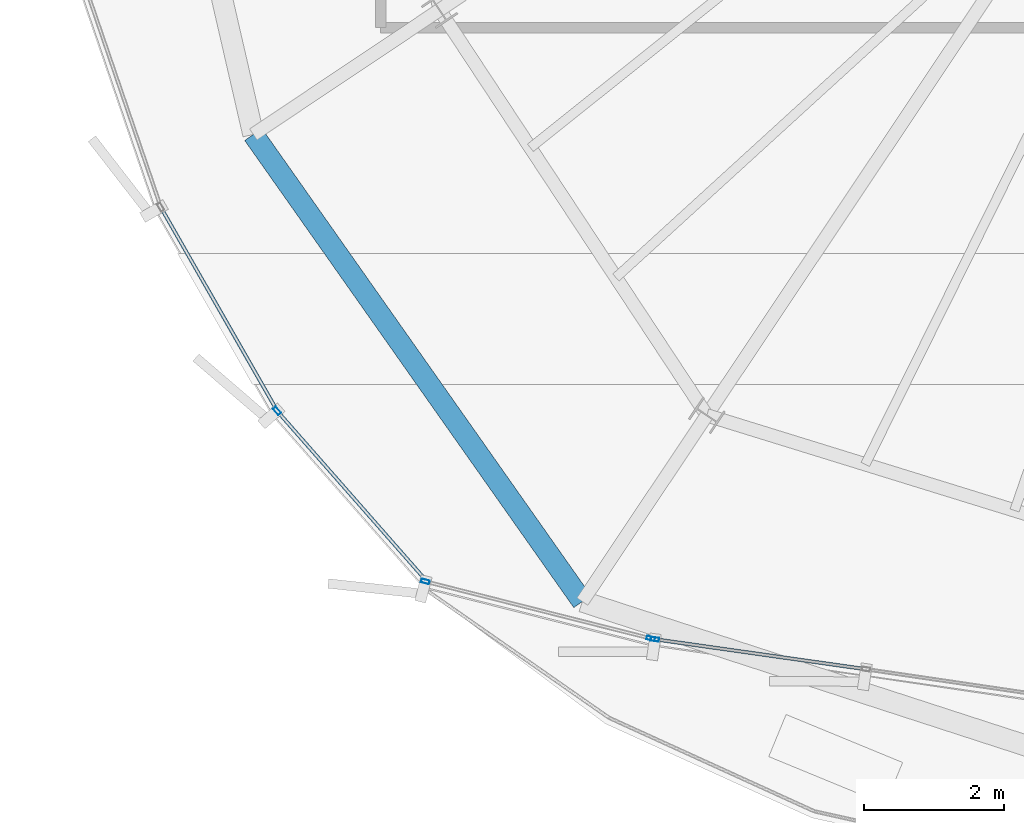
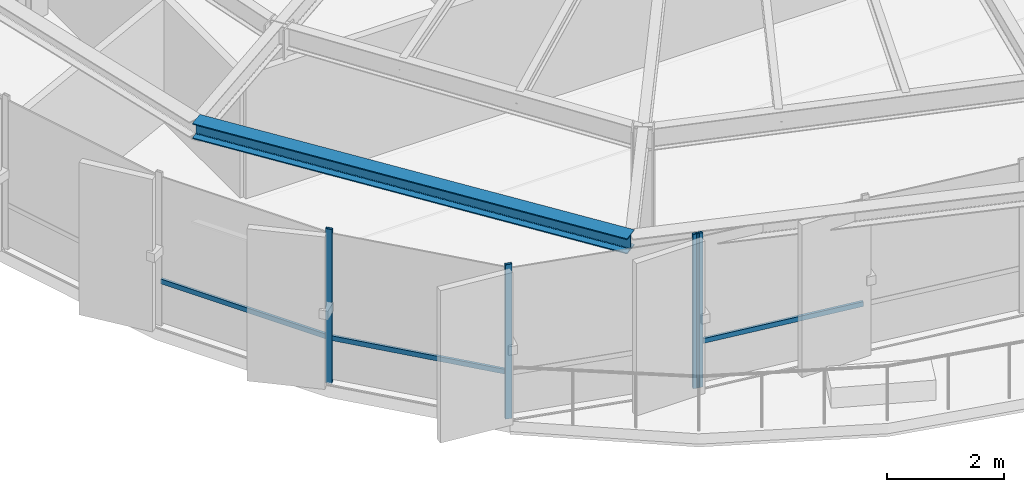
# One storey, part 2 of 32: 7 members, 1 beam, 2 elements without a shape of their own.
"""IFC4 building model written with IfcOpenShell, lengths in metres."""

from ifc_helpers import new_model, si_unit, direction, frame, origin, origin_2d, place, context, subcontext, project, spatial, hollow_rectangle, i_section, extrude, source, transform, mapped, material, layer, layer_set, material_profile, profile_set, type_object, element, aggregate, save


model = new_model("IFC4")

# Units and contexts
model_context = context("Model", 3, precision=1e-05, world=origin(), true_north=direction((0.0, 1.0)))
body_context = subcontext(model_context, "Body", "Model", "MODEL_VIEW")
ifc_project = project(units=[si_unit("LENGTHUNIT", "METRE"), si_unit("AREAUNIT", "SQUARE_METRE"), si_unit("VOLUMEUNIT", "CUBIC_METRE"), si_unit("PLANEANGLEUNIT", "RADIAN"), si_unit("MASSUNIT", "GRAM", prefix="KILO"), si_unit("THERMODYNAMICTEMPERATUREUNIT", "KELVIN")], contexts=[model_context])

# Site, building, storey
site_placement = place(None, origin())
site = spatial("IfcSite", under=ifc_project, at=site_placement, CompositionType="ELEMENT")
building_placement = place(site_placement, origin())
building = spatial("IfcBuilding", under=site, at=building_placement, Name="Kethvar Cultural Tower", CompositionType="ELEMENT")
storey_placement = place(building_placement, frame((0.0, 0.0, 273.25)))
storey = spatial("IfcBuildingStorey", under=building, at=storey_placement, Name="L72", CompositionType="ELEMENT", Elevation=273.25)

# Beam
ifc_material_1 = material(Name="Steel S355J2", Category="steel")
ifc_material_profile_1 = material_profile(ifc_material_1, i_section(OverallWidth=0.300048828125, OverallDepth=0.320068359375, WebThickness=0.011474609375, FlangeThickness=0.0205078125, FilletRadius=0.027099609375, at=origin_2d()), Name="Steel S355J2 — HEB320")
ifc_profile_set_1 = profile_set([ifc_material_profile_1], Name="Steel S355J2 — HEB320")
beam_type = type_object("IfcBeamType", Name="BM-SP320", PredefinedType="SPANDREL", material=ifc_profile_set_1)
shared_shape_1 = source(origin(), body_context, "Body", "SweptSolid", [
    extrude(i_section(OverallWidth=0.300048828125, OverallDepth=0.320068359375, WebThickness=0.011474609375, FlangeThickness=0.0205078125, FilletRadius=0.027099609375, at=origin_2d()), origin(), (0.0, 0.0, 1.0), 8.16259765625),
])
beam_placement = place(storey_placement, frame((30.252197265625, 16.7431640625, 3.048095703125), z_axis=(0.575940812748, -0.817491394579, 0.0), x_axis=(0.817491394579, 0.575940812748, 0.0)))
element("IfcBeam", 1, at=beam_placement, inside=storey, type_object=beam_type, Name="L72 Perimeter Spandrel Beam SP-10", PredefinedType="SPANDREL", context=body_context, shape_type="MappedRepresentation", body=[
    mapped(shared_shape_1, transform((0.0, 0.0, 0.0), scale=1.0)),
])

# Curtain wall, members
ifc_material_2 = material(Name="Aluminium 6063-T6", Category="aluminium")
ifc_layer = layer(ifc_material_2, 0.179931640625, Name="Aluminium 6063-T6", Category="aluminium")
ifc_layer_set = layer_set([ifc_layer], Name="Aluminium 6063-T6 (180 mm)")
curtain_wall_type = type_object("IfcCurtainWallType", Name="CW-SYS-05-Z56", PredefinedType="NOTDEFINED", material=ifc_layer_set)
curtain_wall_1_placement = place(storey_placement, origin())
curtain_wall_1 = element("IfcCurtainWall", 2, at=curtain_wall_1_placement, inside=storey, type_object=curtain_wall_type, Name="L72 Curtain Wall Run 03", PredefinedType="NOTDEFINED")
ifc_material_profile_2 = material_profile(ifc_material_2, hollow_rectangle(XDim=0.054931640625, YDim=0.1201171875, WallThickness=0.00390625, at=origin_2d()), Name="Aluminium 6063-T6 — RHS120x55x4")
ifc_profile_set_2 = profile_set([ifc_material_profile_2], Name="Aluminium 6063-T6 — RHS120x55x4")
member_type_1 = type_object("IfcMemberType", Name="CW-SYS-05-Z56-MUL", PredefinedType="MULLION", material=ifc_profile_set_2)
shared_shape_2 = source(origin(), body_context, "Body", "SweptSolid", [
    extrude(hollow_rectangle(XDim=0.054931640625, YDim=0.1201171875, WallThickness=0.00390625, at=origin_2d()), origin(), (0.0, 0.0, 1.0), 3.2099609375),
])
member_1_placement = place(storey_placement, frame((30.591796875, 12.794677734375, 0.0), z_axis=(0.0, 0.0, 1.0), x_axis=(0.751275652591, 0.659988555828, 0.0)))
member_1 = element("IfcMember", 3, at=member_1_placement, type_object=member_type_1, Name="CW-L72-R03 Mullion 5", PredefinedType="MULLION", context=body_context, shape_type="MappedRepresentation", body=[
    mapped(shared_shape_2, transform((0.0, 0.0, 0.0), scale=1.0)),
])
member_2_placement = place(storey_placement, frame((32.709716796875, 10.357421875, 0.0), z_axis=(0.0, 0.0, 1.0), x_axis=(0.245070498372, 0.969505260856, 0.0)))
member_2 = element("IfcMember", 4, at=member_2_placement, type_object=member_type_1, Name="CW-L72-R03 Mullion 6", PredefinedType="MULLION", context=body_context, shape_type="MappedRepresentation", body=[
    mapped(shared_shape_2, transform((0.0, 0.0, 0.0), scale=1.0)),
])
member_3_placement = place(storey_placement, frame((35.93017578125, 9.543212890625, 0.0), z_axis=(0.0, 0.0, 1.0), x_axis=(0.245070498372, 0.969505260856, 0.0)))
member_3 = element("IfcMember", 5, at=member_3_placement, type_object=member_type_1, Name="CW-L72-R03 Mullion 7", PredefinedType="MULLION", context=body_context, shape_type="MappedRepresentation", body=[
    mapped(shared_shape_2, transform((0.0, 0.0, 0.0), scale=1.0)),
])

# Curtain wall, member
curtain_wall_2_placement = place(storey_placement, origin())
curtain_wall_2 = element("IfcCurtainWall", 6, at=curtain_wall_2_placement, inside=storey, type_object=curtain_wall_type, Name="L72 Curtain Wall Run 04", PredefinedType="NOTDEFINED")
member_4_placement = place(storey_placement, frame((35.98974609375, 9.531494140625, 0.0), z_axis=(0.0, 0.0, 1.0), x_axis=(0.140365556993, 0.990099747707, 0.0)))
member_4 = element("IfcMember", 7, at=member_4_placement, type_object=member_type_1, Name="CW-L72-R04 Mullion 1", PredefinedType="MULLION", context=body_context, shape_type="MappedRepresentation", body=[
    mapped(shared_shape_2, transform((0.0, 0.0, 0.0), scale=1.0)),
])

# Member
ifc_material_profile_3 = material_profile(ifc_material_2, hollow_rectangle(XDim=0.050048828125, YDim=0.10009765625, WallThickness=0.00390625, at=origin_2d()), Name="Aluminium 6063-T6 — RHS100x50x4")
ifc_profile_set_3 = profile_set([ifc_material_profile_3], Name="Aluminium 6063-T6 — RHS100x50x4")
member_type_2 = type_object("IfcMemberType", Name="CW-SYS-05-Z56-TRN", PredefinedType="USERDEFINED", material=ifc_profile_set_3)
shared_shape_3 = source(origin(), body_context, "Body", "SweptSolid", [
    extrude(hollow_rectangle(XDim=0.050048828125, YDim=0.10009765625, WallThickness=0.00390625, at=origin_2d()), origin(), (0.0, 0.0, 1.0), 3.2919921875),
])
member_5_placement = place(storey_placement, frame((28.949462890625, 15.67041015625, 0.949951171875), z_axis=(0.496442402977, -0.868069663406, 0.0), x_axis=(0.868069663406, 0.496442402977, 0.0)))
member_5 = element("IfcMember", 8, at=member_5_placement, type_object=member_type_2, Name="CW-L72-R03 Transom 4", ObjectType="TRANSOM", PredefinedType="USERDEFINED", context=body_context, shape_type="MappedRepresentation", body=[
    mapped(shared_shape_3, transform((0.0, 0.0, 0.0), scale=1.0)),
])

shared_shape_4 = source(origin(), body_context, "Body", "SweptSolid", [
    extrude(hollow_rectangle(XDim=0.050048828125, YDim=0.10009765625, WallThickness=0.00390625, at=origin_2d()), origin(), (0.0, 0.0, 1.0), 3.20654296875),
])
member_6_placement = place(storey_placement, frame((30.617919921875, 12.764892578125, 0.949951171875), z_axis=(0.659985711504, -0.751278151293, 0.0), x_axis=(0.751278151293, 0.659985711504, 0.0)))
member_6 = element("IfcMember", 9, at=member_6_placement, type_object=member_type_2, Name="CW-L72-R03 Transom 5", ObjectType="TRANSOM", PredefinedType="USERDEFINED", context=body_context, shape_type="MappedRepresentation", body=[
    mapped(shared_shape_4, transform((0.0, 0.0, 0.0), scale=1.0)),
])

aggregate(curtain_wall_1, [member_1, member_2, member_3, member_5, member_6])

shared_shape_5 = source(origin(), body_context, "Body", "SweptSolid", [
    extrude(hollow_rectangle(XDim=0.050048828125, YDim=0.10009765625, WallThickness=0.00390625, at=origin_2d()), origin(), (0.0, 0.0, 1.0), 3.001220703125),
])
member_7_placement = place(storey_placement, frame((35.99365234375, 9.531005859375, 0.949951171875), z_axis=(0.990093775252, -0.140407678587, 0.0), x_axis=(0.140407678587, 0.990093775252, 0.0)))
member_7 = element("IfcMember", 10, at=member_7_placement, type_object=member_type_2, Name="CW-L72-R04 Transom 1", ObjectType="TRANSOM", PredefinedType="USERDEFINED", context=body_context, shape_type="MappedRepresentation", body=[
    mapped(shared_shape_5, transform((0.0, 0.0, 0.0), scale=1.0)),
])

aggregate(curtain_wall_2, [member_4, member_7])

save(model, "model.ifc")
